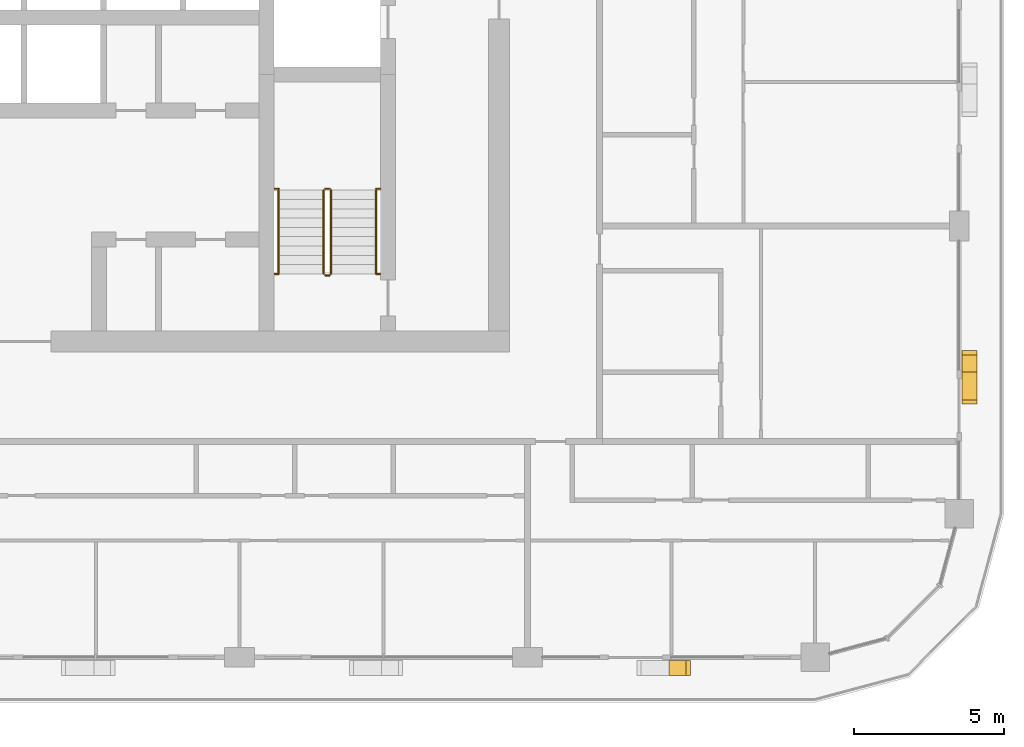
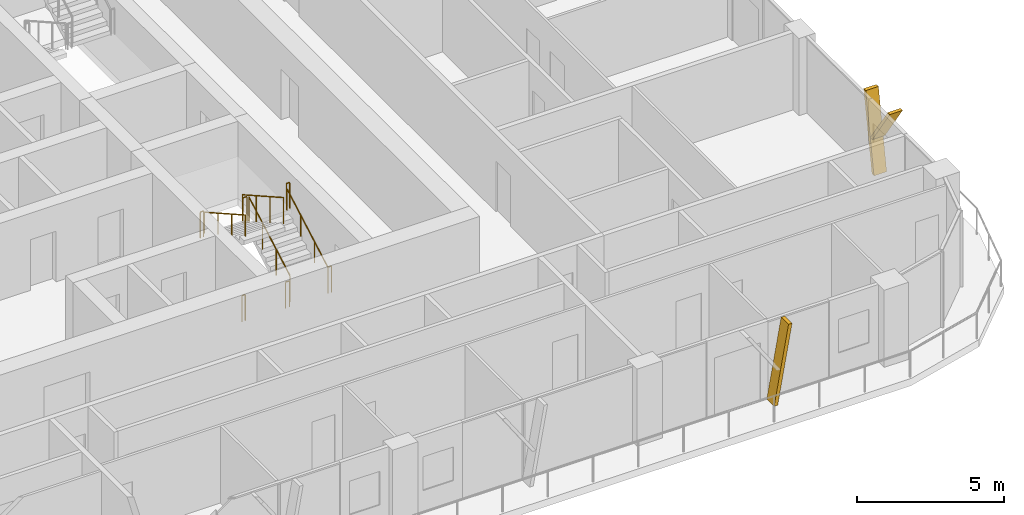
# One storey, part 20 of 23: 10 railings, 3 shading devices.
"""IFC4 building model written with IfcOpenShell, lengths in metres."""

from ifc_helpers import new_model, si_unit, direction, frame, origin, origin_2d, place, context, subcontext, project, spatial, polyline, circle, outline, extrude, material, type_object, element, save


model = new_model("IFC4")

# Units and contexts
model_context = context("Model", 3, precision=1e-05, world=origin(), true_north=direction((0.0, 1.0)))
body_context = subcontext(model_context, "Body", "Model", "MODEL_VIEW")
ifc_project = project(units=[si_unit("LENGTHUNIT", "METRE"), si_unit("AREAUNIT", "SQUARE_METRE"), si_unit("VOLUMEUNIT", "CUBIC_METRE"), si_unit("PLANEANGLEUNIT", "RADIAN"), si_unit("MASSUNIT", "GRAM", prefix="KILO")], contexts=[model_context])

# Site, building, storey
site_placement = place(None, origin())
site = spatial("IfcSite", under=ifc_project, at=site_placement, CompositionType="ELEMENT")
building_placement = place(site_placement, origin())
building = spatial("IfcBuilding", under=site, at=building_placement, Name="Madar Terraces", CompositionType="ELEMENT")
storey_placement = place(building_placement, frame((0.0, 0.0, 222.800048828125)))
storey = spatial("IfcBuildingStorey", under=building, at=storey_placement, Name="L58", CompositionType="ELEMENT", Elevation=222.800048828125)

# Shading devices
ifc_material_1 = material(Name="Aluminium, black anodised", Category="aluminium")
shading_device_type = type_object("IfcShadingDeviceType", Name="Facade fin blade 140 x 500", PredefinedType="USERDEFINED", material=ifc_material_1)
shading_device_1_placement = place(storey_placement, frame((52.72998046875, 4.449951171875, 0.0), z_axis=(0.0, 0.0, 1.0), x_axis=(1.0, 0.0, 0.0)))
element("IfcShadingDevice", 1, at=shading_device_1_placement, inside=storey, type_object=shading_device_type, Name="FIN L58 S5", ObjectType="FIN", PredefinedType="USERDEFINED", context=body_context, shape_type="SweptSolid", body=[
    extrude(outline(polyline([(0.0, 0.0), (0.14013671875, 0.0), (0.704345703125, 3.199951171875), (0.564208984375, 3.199951171875), (0.0, 0.0)])), frame((0.0, 0.25, 0.0), z_axis=(0.0, -1.0, 0.0), x_axis=(1.0, 0.0, 0.0)), (0.0, 0.0, 1.0), 0.5),
])
shading_device_2_placement = place(storey_placement, frame((62.75, 14.330078125, 0.0), z_axis=(0.0, 0.0, 1.0), x_axis=(0.0, 1.0, 0.0)))
element("IfcShadingDevice", 2, at=shading_device_2_placement, inside=storey, type_object=shading_device_type, Name="FIN L58 E1", ObjectType="FIN", PredefinedType="USERDEFINED", context=body_context, shape_type="SweptSolid", body=[
    extrude(outline(polyline([(0.0, 0.0), (0.139892578125, 0.0), (0.704345703125, 3.199951171875), (0.564208984375, 3.199951171875), (0.0, 0.0)])), frame((0.0, 0.25, 0.0), z_axis=(0.0, -1.0, 0.0), x_axis=(1.0, 0.0, 0.0)), (0.0, 0.0, 1.0), 0.5),
])
shading_device_3_placement = place(storey_placement, frame((62.75, 14.44384765625, 1.43994140625), z_axis=(0.0, 0.0, 1.0), x_axis=(0.0, 1.0, 0.0)))
element("IfcShadingDevice", 3, at=shading_device_3_placement, inside=storey, type_object=shading_device_type, Name="FIN L58 E1 branch", ObjectType="FIN", PredefinedType="USERDEFINED", context=body_context, shape_type="SweptSolid", body=[
    extrude(outline(polyline([(0.0, 0.0), (0.14013671875, 0.0), (-1.049560546875, 1.760009765625), (-1.189697265625, 1.760009765625), (0.0, 0.0)])), frame((0.0, 0.25, 0.0), z_axis=(0.0, -1.0, 0.0), x_axis=(1.0, 0.0, 0.0)), (0.0, 0.0, 1.0), 0.5),
])

# Railings
ifc_material_2 = material(Name="Stainless steel railing", Category="steel")
railing_type_1 = type_object("IfcRailingType", Name="Stair guard 1100", PredefinedType="GUARDRAIL", material=ifc_material_2)
railing_1_placement = place(storey_placement, frame((41.449951171875, 17.60009765625, 0.175048828125)))
element("IfcRailing", 4, at=railing_1_placement, inside=storey, type_object=railing_type_1, Name="L58 ST3 stair guard 1", PredefinedType="GUARDRAIL", context=body_context, shape_type="SweptSolid", body=[
    extrude(circle(Radius=0.02392578125, at=origin_2d()), frame((0.0, 0.0, 1.076171875), z_axis=(0.0, 0.870815363784, 0.491610213684), x_axis=(-1.0, 0.0, 0.0)), (0.0, 0.0, 1.0), 3.20361328125),
    extrude(circle(Radius=0.02099609375, at=origin_2d()), origin(), (0.0, 0.0, 1.0), 1.052001953125),
    extrude(circle(Radius=0.02099609375, at=origin_2d()), frame((0.0, 0.929931640625, 0.52490234375)), (0.0, 0.0, 1.0), 1.052001953125),
    extrude(circle(Radius=0.02099609375, at=origin_2d()), frame((0.0, 1.85986328125, 1.050048828125)), (0.0, 0.0, 1.0), 1.052001953125),
    extrude(circle(Radius=0.02099609375, at=origin_2d()), frame((0.0, 2.789794921875, 1.574951171875)), (0.0, 0.0, 1.0), 1.052001953125),
])
railing_2_placement = place(storey_placement, frame((41.39990234375, 20.43994140625, 1.75)))
element("IfcRailing", 5, at=railing_2_placement, inside=storey, type_object=railing_type_1, Name="L58 ST3 stair guard 2", PredefinedType="GUARDRAIL", context=body_context, shape_type="SweptSolid", body=[
    extrude(circle(Radius=0.02392578125, at=origin_2d()), frame((0.0, 0.0, 1.076171875), z_axis=(-1.0, 0.0, 0.0), x_axis=(0.0, -1.0, 0.0)), (0.0, 0.0, 1.0), 0.14990234375),
    extrude(circle(Radius=0.02099609375, at=origin_2d()), origin(), (0.0, 0.0, 1.0), 1.052001953125),
    extrude(circle(Radius=0.02099609375, at=origin_2d()), frame((-0.14990234375, 0.0, 0.0)), (0.0, 0.0, 1.0), 1.052001953125),
])
railing_3_placement = place(storey_placement, frame((41.199951171875, 20.389892578125, 1.925048828125)))
element("IfcRailing", 6, at=railing_3_placement, inside=storey, type_object=railing_type_1, Name="L58 ST3 stair guard 3", PredefinedType="GUARDRAIL", context=body_context, shape_type="SweptSolid", body=[
    extrude(circle(Radius=0.02392578125, at=origin_2d()), frame((0.0, 0.0, 1.076171875), z_axis=(0.0, -0.870815363784, 0.491610213684), x_axis=(1.0, 0.0, 0.0)), (0.0, 0.0, 1.0), 3.20361328125),
    extrude(circle(Radius=0.02099609375, at=origin_2d()), origin(), (0.0, 0.0, 1.0), 1.052001953125),
    extrude(circle(Radius=0.02099609375, at=origin_2d()), frame((0.0, -0.929931640625, 0.52490234375)), (0.0, 0.0, 1.0), 1.052001953125),
    extrude(circle(Radius=0.02099609375, at=origin_2d()), frame((0.0, -1.85986328125, 1.050048828125)), (0.0, 0.0, 1.0), 1.052001953125),
    extrude(circle(Radius=0.02099609375, at=origin_2d()), frame((0.0, -2.789794921875, 1.574951171875)), (0.0, 0.0, 1.0), 1.052001953125),
])
railing_4_placement = place(storey_placement, frame((41.39990234375, 17.550048828125, 0.0)))
element("IfcRailing", 7, at=railing_4_placement, inside=storey, type_object=railing_type_1, Name="L58 ST3 stair guard 4", PredefinedType="GUARDRAIL", context=body_context, shape_type="SweptSolid", body=[
    extrude(circle(Radius=0.02392578125, at=origin_2d()), frame((0.0, 0.0, 1.076171875), z_axis=(-1.0, 0.0, 0.0), x_axis=(0.0, -1.0, 0.0)), (0.0, 0.0, 1.0), 0.14990234375),
    extrude(circle(Radius=0.02099609375, at=origin_2d()), origin(), (0.0, 0.0, 1.0), 1.052001953125),
    extrude(circle(Radius=0.02099609375, at=origin_2d()), frame((-0.14990234375, 0.0, 0.0)), (0.0, 0.0, 1.0), 1.052001953125),
])
railing_5_placement = place(storey_placement, frame((39.570068359375, 20.43994140625, 1.75)))
element("IfcRailing", 8, at=railing_5_placement, inside=storey, type_object=railing_type_1, Name="L58 stair guard seat 1", PredefinedType="GUARDRAIL", context=body_context, shape_type="SweptSolid", body=[
    extrude(circle(Radius=0.02392578125, at=origin_2d()), frame((0.0, 0.0, 1.076171875), z_axis=(1.0, 0.0, 0.0), x_axis=(0.0, 1.0, 0.0)), (0.0, 0.0, 1.0), 0.1298828125),
    extrude(circle(Radius=0.02099609375, at=origin_2d()), origin(), (0.0, 0.0, 1.0), 1.052001953125),
    extrude(circle(Radius=0.02099609375, at=origin_2d()), frame((0.1298828125, 0.0, 0.0)), (0.0, 0.0, 1.0), 1.052001953125),
])
railing_6_placement = place(storey_placement, frame((42.949951171875, 20.43994140625, 1.75)))
element("IfcRailing", 9, at=railing_6_placement, inside=storey, type_object=railing_type_1, Name="L58 stair guard seat 2", PredefinedType="GUARDRAIL", context=body_context, shape_type="SweptSolid", body=[
    extrude(circle(Radius=0.02392578125, at=origin_2d()), frame((0.0, 0.0, 1.076171875), z_axis=(1.0, 0.0, 0.0), x_axis=(0.0, 1.0, 0.0)), (0.0, 0.0, 1.0), 0.130126953125),
    extrude(circle(Radius=0.02099609375, at=origin_2d()), origin(), (0.0, 0.0, 1.0), 1.052001953125),
    extrude(circle(Radius=0.02099609375, at=origin_2d()), frame((0.130126953125, 0.0, 0.0)), (0.0, 0.0, 1.0), 1.052001953125),
])
railing_7_placement = place(storey_placement, frame((39.570068359375, 17.60009765625, 0.0)))
element("IfcRailing", 10, at=railing_7_placement, inside=storey, type_object=railing_type_1, Name="L58 stair guard floor 1", PredefinedType="GUARDRAIL", context=body_context, shape_type="SweptSolid", body=[
    extrude(circle(Radius=0.02392578125, at=origin_2d()), frame((0.0, 0.0, 1.076171875), z_axis=(1.0, 0.0, 0.0), x_axis=(0.0, 1.0, 0.0)), (0.0, 0.0, 1.0), 0.1298828125),
    extrude(circle(Radius=0.02099609375, at=origin_2d()), origin(), (0.0, 0.0, 1.0), 1.052001953125),
    extrude(circle(Radius=0.02099609375, at=origin_2d()), frame((0.1298828125, 0.0, 0.0)), (0.0, 0.0, 1.0), 1.052001953125),
])
railing_8_placement = place(storey_placement, frame((42.949951171875, 17.60009765625, 0.0)))
element("IfcRailing", 11, at=railing_8_placement, inside=storey, type_object=railing_type_1, Name="L58 stair guard floor 2", PredefinedType="GUARDRAIL", context=body_context, shape_type="SweptSolid", body=[
    extrude(circle(Radius=0.02392578125, at=origin_2d()), frame((0.0, 0.0, 1.076171875), z_axis=(1.0, 0.0, 0.0), x_axis=(0.0, 1.0, 0.0)), (0.0, 0.0, 1.0), 0.130126953125),
    extrude(circle(Radius=0.02099609375, at=origin_2d()), origin(), (0.0, 0.0, 1.0), 1.052001953125),
    extrude(circle(Radius=0.02099609375, at=origin_2d()), frame((0.130126953125, 0.0, 0.0)), (0.0, 0.0, 1.0), 1.052001953125),
])
ifc_material_3 = material(Name="Stainless steel railing", Category="steel")
railing_type_2 = type_object("IfcRailingType", Name="Stair handrail 900", PredefinedType="HANDRAIL", material=ifc_material_3)
railing_9_placement = place(storey_placement, frame((42.949951171875, 17.60009765625, 0.175048828125)))
element("IfcRailing", 12, at=railing_9_placement, inside=storey, type_object=railing_type_2, Name="L58 ST3 stair handrail 1", PredefinedType="HANDRAIL", context=body_context, shape_type="SweptSolid", body=[
    extrude(circle(Radius=0.02392578125, at=origin_2d()), frame((0.0, 0.0, 0.8759765625), z_axis=(0.0, 0.870815363784, 0.491610213684), x_axis=(-1.0, 0.0, 0.0)), (0.0, 0.0, 1.0), 3.20361328125),
    extrude(circle(Radius=0.02099609375, at=origin_2d()), origin(), (0.0, 0.0, 1.0), 0.851806640625),
    extrude(circle(Radius=0.02099609375, at=origin_2d()), frame((0.0, 0.929931640625, 0.52490234375)), (0.0, 0.0, 1.0), 0.851806640625),
    extrude(circle(Radius=0.02099609375, at=origin_2d()), frame((0.0, 1.85986328125, 1.050048828125)), (0.0, 0.0, 1.0), 0.851806640625),
    extrude(circle(Radius=0.02099609375, at=origin_2d()), frame((0.0, 2.789794921875, 1.574951171875)), (0.0, 0.0, 1.0), 0.851806640625),
])
railing_10_placement = place(storey_placement, frame((39.699951171875, 20.389892578125, 1.925048828125)))
element("IfcRailing", 13, at=railing_10_placement, inside=storey, type_object=railing_type_2, Name="L58 ST3 stair handrail 2", PredefinedType="HANDRAIL", context=body_context, shape_type="SweptSolid", body=[
    extrude(circle(Radius=0.02392578125, at=origin_2d()), frame((0.0, 0.0, 0.8759765625), z_axis=(0.0, -0.870815363784, 0.491610213684), x_axis=(1.0, 0.0, 0.0)), (0.0, 0.0, 1.0), 3.20361328125),
    extrude(circle(Radius=0.02099609375, at=origin_2d()), origin(), (0.0, 0.0, 1.0), 0.851806640625),
    extrude(circle(Radius=0.02099609375, at=origin_2d()), frame((0.0, -0.929931640625, 0.52490234375)), (0.0, 0.0, 1.0), 0.851806640625),
    extrude(circle(Radius=0.02099609375, at=origin_2d()), frame((0.0, -1.85986328125, 1.050048828125)), (0.0, 0.0, 1.0), 0.851806640625),
    extrude(circle(Radius=0.02099609375, at=origin_2d()), frame((0.0, -2.789794921875, 1.574951171875)), (0.0, 0.0, 1.0), 0.851806640625),
])

save(model, "model.ifc")
